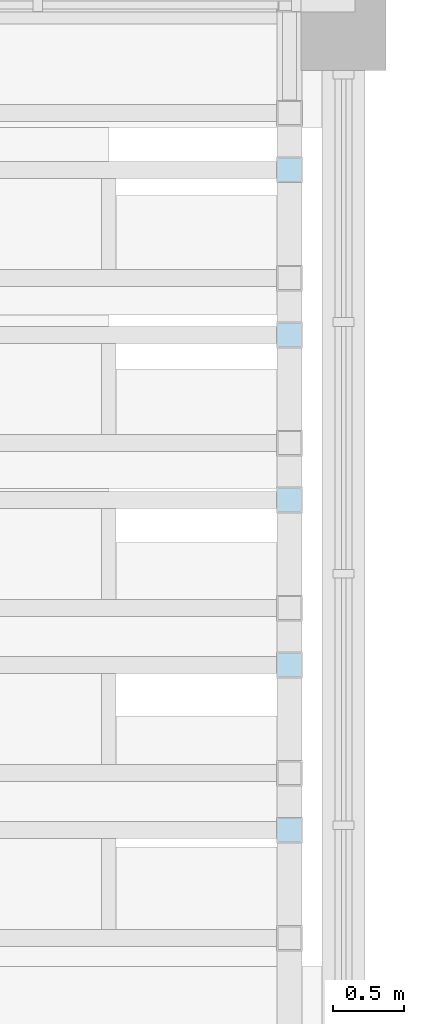
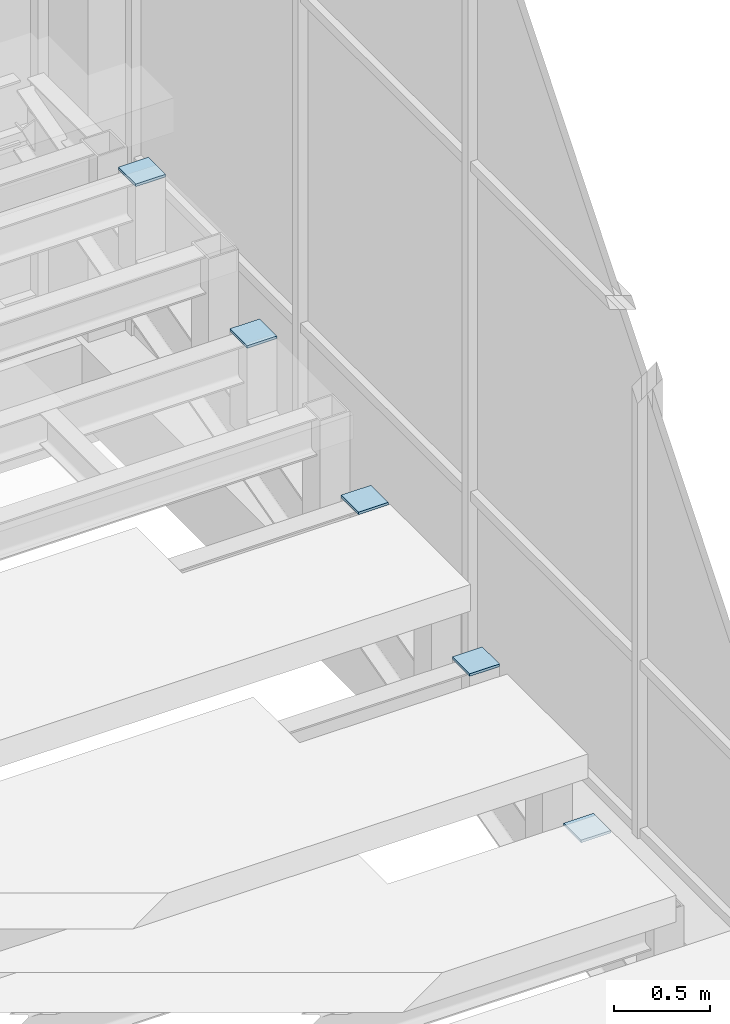
# One storey, part 102 of 122: 5 plates.
"""IFC4 building model written with IfcOpenShell, lengths in metres."""

from ifc_helpers import new_model, si_unit, direction, frame, origin, origin_2d, place, context, subcontext, project, spatial, rectangle, extrude, material, layer, layer_set, type_object, element, save


model = new_model("IFC4")

# Units and contexts
model_context = context("Model", 3, precision=1e-05, world=origin(), true_north=direction((0.0, 1.0)))
body_context = subcontext(model_context, "Body", "Model", "MODEL_VIEW")
ifc_project = project(units=[si_unit("LENGTHUNIT", "METRE"), si_unit("AREAUNIT", "SQUARE_METRE"), si_unit("VOLUMEUNIT", "CUBIC_METRE"), si_unit("PLANEANGLEUNIT", "RADIAN"), si_unit("MASSUNIT", "GRAM", prefix="KILO")], contexts=[model_context])

# Site, building, storey
site_placement = place(None, origin())
site = spatial("IfcSite", under=ifc_project, at=site_placement, CompositionType="ELEMENT")
building_placement = place(site_placement, origin())
building = spatial("IfcBuilding", under=site, at=building_placement, Name="Tenunan Teduh Sports Hall", CompositionType="ELEMENT")
storey_placement = place(building_placement, frame((0.0, 0.0, 5.39990234375)))
storey = spatial("IfcBuildingStorey", under=building, at=storey_placement, Name="L01", CompositionType="ELEMENT", Elevation=5.39990234375)

# Plates
ifc_material = material(Name="Steel S355", Category="steel")
ifc_layer = layer(ifc_material, 0.01611328125)
ifc_layer_set = layer_set([ifc_layer], Name="Steel S355")
plate_type = type_object("IfcPlateType", Name="PLT-CAP-180", PredefinedType="SHEET", material=ifc_layer_set)
for number, where, z_axis, x_axis, name in (
    (1, (169.6201171875, 40.159912109375, 0.169921875), (0.0, 0.0, 1.0), (1.0, 0.0, 0.0), "PLT-CAP-L01-019"),
    (2, (169.6201171875, 41.320068359375, 0.525146484375), (0.0, 0.0, 1.0), (1.0, 0.0, 0.0), "PLT-CAP-L01-020"),
    (3, (169.6201171875, 42.47998046875, 0.85009765625), (0.0, 0.0, 1.0), (1.0, 0.0, 0.0), "PLT-CAP-L01-021"),
    (4, (169.6201171875, 43.639892578125, 1.205078125), (0.0, 0.0, 1.0), (1.0, 0.0, 0.0), "PLT-CAP-L01-022"),
    (5, (169.6201171875, 44.800048828125, 1.530029296875), (0.0, 0.0, 1.0), (1.0, 0.0, 0.0), "PLT-CAP-L01-023"),
):
    element("IfcPlate", number, at=place(storey_placement, frame(where, z_axis=z_axis, x_axis=x_axis)), inside=storey, type_object=plate_type, Name=name, PredefinedType="SHEET", context=body_context, shape_type="SweptSolid", body=[
        extrude(rectangle(XDim=0.179931640625, YDim=0.179931640625, at=origin_2d()), origin(), (0.0, 0.0, 1.0), 0.01611328125),
    ])

save(model, "model.ifc")
